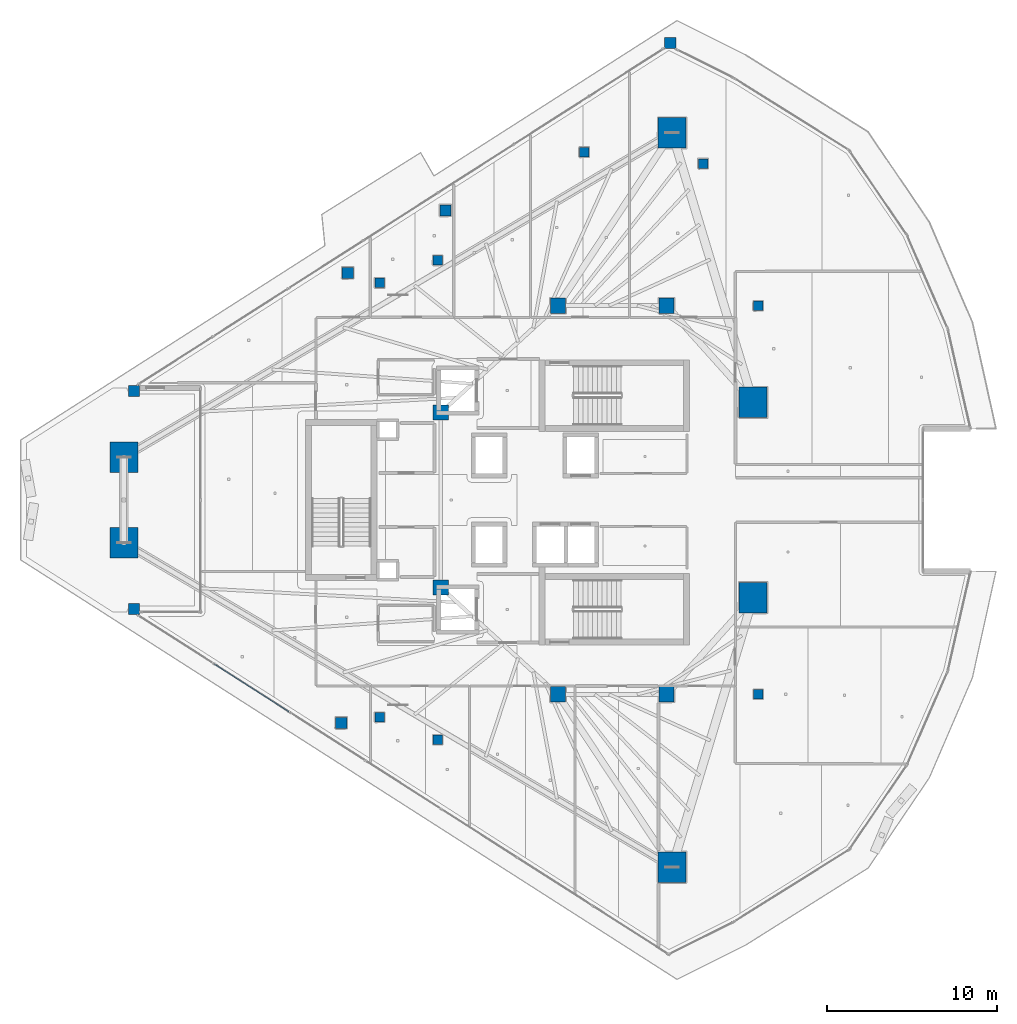
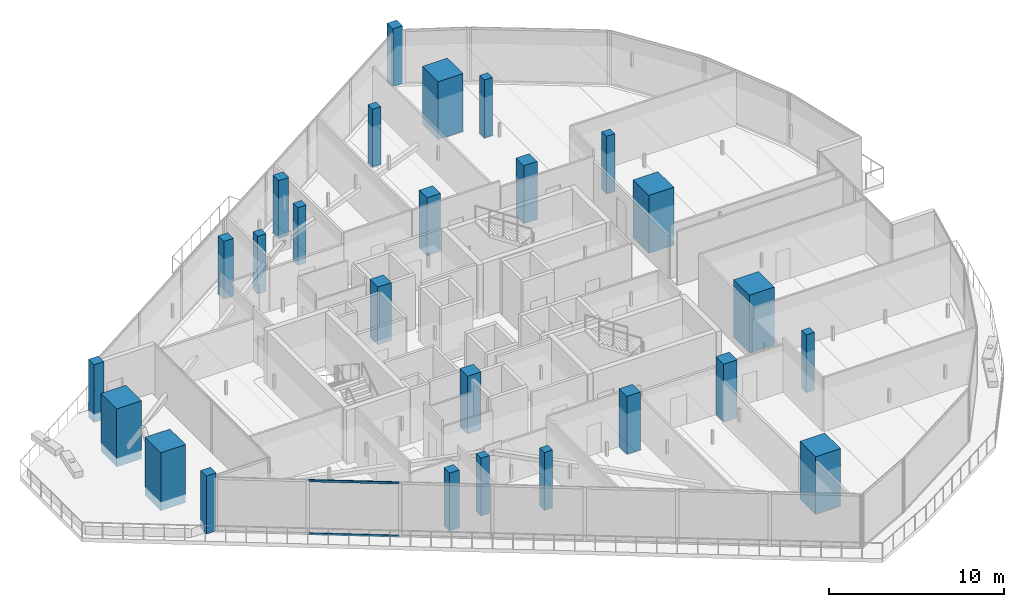
# One storey, part 1 of 40: 26 columns, 2 members, 1 element without a shape of its own.
"""IFC4 building model written with IfcOpenShell, lengths in metres."""

import ifcopenshell
import ifcopenshell.guid

model = None  # the IFC model being written
_history = None  # IfcOwnerHistory: only IFC2X3 demands one
_inside = {}  # id of a spatial element -> (the spatial element, [elements in it])
_under = {}  # id of a project, library or spatial element -> (it, [spatial elements below it])
_declared = {}  # id of a project -> (the project, [libraries it declares])
_typed = {}  # id of a type object -> (the type object, [elements of that type])
_made_of = {}  # id of a material, layer set ... -> (it, [elements and type objects made of it])


def new_model(schema):
    """Start an empty IFC model of exactly this schema.

    Asked for "IFC4X3", IfcOpenShell would pick the latest addendum, in which some entities
    have other attributes; the version numbers below select the first issue.
    IFC2X3 requires an IfcOwnerHistory on every rooted entity: one is made here for all.
    """
    global model, _history
    if schema == "IFC4X3":
        model = ifcopenshell.file(schema_version=(4, 3, 0, 0))
    else:
        model = ifcopenshell.file(schema=schema)
    _inside.clear()
    _under.clear()
    _declared.clear()
    _typed.clear()
    _made_of.clear()
    _history = None
    if model.schema == "IFC2X3":
        org = make("IfcOrganization", Name="unknown")
        user = make(
            "IfcPersonAndOrganization",
            ThePerson=make("IfcPerson", FamilyName="unknown"),
            TheOrganization=org,
        )
        app = make(
            "IfcApplication",
            ApplicationDeveloper=org,
            Version="unknown",
            ApplicationFullName="unknown",
            ApplicationIdentifier="unknown",
        )
        _history = make(
            "IfcOwnerHistory",
            OwningUser=user,
            OwningApplication=app,
            ChangeAction="ADDED",
            CreationDate=0,
        )
    return model


def make(cls, **values):
    """One entity of the class cls with the attributes given. An attribute that is None is left unset."""
    return model.create_entity(
        cls, **{name: value for name, value in values.items() if value is not None}
    )


def rooted(cls, **values):
    """An entity with a GlobalId (a new one), such as an element, a storey or a relation."""
    return make(cls, GlobalId=ifcopenshell.guid.new(), OwnerHistory=_history, **values)


def si_unit(unit_type, name, prefix=None):
    """IfcSIUnit, for example si_unit("LENGTHUNIT", "METRE", prefix="MILLI")."""
    return make("IfcSIUnit", UnitType=unit_type, Prefix=prefix, Name=name)


def assignment(units):
    """IfcUnitAssignment: the units of a project."""
    return None if units is None else make("IfcUnitAssignment", Units=units)


def point(xyz):
    """IfcCartesianPoint."""
    return None if xyz is None else make("IfcCartesianPoint", Coordinates=xyz)


def direction(xyz):
    """IfcDirection."""
    return None if xyz is None else make("IfcDirection", DirectionRatios=xyz)


def frame(location, z_axis=None, x_axis=None):
    """IfcAxis2Placement3D, a coordinate frame: its origin and axes. An axis left out is left unset."""
    return make(
        "IfcAxis2Placement3D",
        Location=point(location),
        Axis=direction(z_axis),
        RefDirection=direction(x_axis),
    )


def frame_2d(location, x_axis=None):
    """IfcAxis2Placement2D, a coordinate frame in the plane: its origin and x axis."""
    return make(
        "IfcAxis2Placement2D", Location=point(location), RefDirection=direction(x_axis)
    )


def origin():
    """The frame at (0, 0, 0) with its axes left unset."""
    return frame((0.0, 0.0, 0.0))


def origin_2d():
    """The frame at (0, 0) in the plane with its x axis left unset."""
    return frame_2d((0.0, 0.0))


def place(relative_to, where):
    """IfcLocalPlacement: puts the frame where relative to a parent placement (None: the world)."""
    return make(
        "IfcLocalPlacement", PlacementRelTo=relative_to, RelativePlacement=where
    )


def context(
    kind, dimensions, precision=None, world=None, true_north=None, identifier=None
):
    """IfcGeometricRepresentationContext, for example the 3D "Model" context."""
    return make(
        "IfcGeometricRepresentationContext",
        ContextIdentifier=identifier,
        ContextType=kind,
        CoordinateSpaceDimension=dimensions,
        Precision=precision,
        WorldCoordinateSystem=world,
        TrueNorth=true_north,
    )


def subcontext(parent, identifier, kind, view, scale=None):
    """IfcGeometricRepresentationSubContext, for example "Body" below "Model"."""
    return make(
        "IfcGeometricRepresentationSubContext",
        ContextIdentifier=identifier,
        ContextType=kind,
        ParentContext=parent,
        TargetScale=scale,
        TargetView=view,
    )


def project(units=None, contexts=None):
    """IfcProject with its units and contexts."""
    return rooted(
        "IfcProject",
        Name="project",
        RepresentationContexts=contexts,
        UnitsInContext=assignment(units),
    )


def spatial(cls, under=None, at=None, **own):
    """A site, building, storey or space (cls), placed at a placement, below another one or the project."""
    s = rooted(cls, ObjectPlacement=at, **own)
    if under is not None:
        _under.setdefault(under.id(), (under, []))[1].append(s)
    return s


def profile(cls, at=None, kind="AREA", **sizes):
    """A parametric profile (cls). Its sizes go by their IFC names, for example OverallWidth=200.0."""
    return make(cls, ProfileType=kind, Position=at, **sizes)


def rectangle(**sizes):
    """IfcRectangleProfileDef."""
    return profile("IfcRectangleProfileDef", **sizes)


def hollow_rectangle(**sizes):
    """IfcRectangleHollowProfileDef."""
    return profile("IfcRectangleHollowProfileDef", **sizes)


def extrude(swept, where, along, depth):
    """IfcExtrudedAreaSolid: the profile swept, set in the frame where, extruded along a direction by depth."""
    return make(
        "IfcExtrudedAreaSolid",
        SweptArea=swept,
        Position=where,
        ExtrudedDirection=direction(along),
        Depth=depth,
    )


def shape(context_of_items, identifier, shape_type, items):
    """IfcShapeRepresentation: the items that make up one representation, for example the "Body"."""
    return make(
        "IfcShapeRepresentation",
        ContextOfItems=context_of_items,
        RepresentationIdentifier=identifier,
        RepresentationType=shape_type,
        Items=items,
    )


def material(Name=None, Category=None):
    """IfcMaterial."""
    return make("IfcMaterial", Name=Name, Category=Category)


def layer(
    of_material, thickness, ventilated=None, Name=None, Category=None, Priority=None
):
    """IfcMaterialLayer: one layer of a wall or slab, of a material (None: an air gap)."""
    return make(
        "IfcMaterialLayer",
        Material=of_material,
        LayerThickness=thickness,
        IsVentilated=ventilated,
        Name=Name,
        Category=Category,
        Priority=Priority,
    )


def layer_set(layers, Name=None):
    """IfcMaterialLayerSet."""
    return make("IfcMaterialLayerSet", MaterialLayers=layers, LayerSetName=Name)


def material_profile(
    of_material, cross_section, Name=None, Category=None, Priority=None
):
    """IfcMaterialProfile: a cross section and its material."""
    return make(
        "IfcMaterialProfile",
        Name=Name,
        Material=of_material,
        Profile=cross_section,
        Priority=Priority,
        Category=Category,
    )


def profile_set(profiles, Name=None, composite=None):
    """IfcMaterialProfileSet."""
    return make(
        "IfcMaterialProfileSet",
        Name=Name,
        MaterialProfiles=profiles,
        CompositeProfile=composite,
    )


def made_of(thing, what):
    """Note that an element or type object is made of a material, layer set ...; save() writes the relation."""
    if what is not None:
        _made_of.setdefault(what.id(), (what, []))[1].append(thing)
    return thing


def type_object(cls, material=None, **own):
    """A type object (cls), such as IfcWallType, which elements share."""
    return made_of(rooted(cls, **own), material)


def element(
    cls,
    number,
    at=None,
    inside=None,
    cuts=None,
    type_object=None,
    material=None,
    context=None,
    identifier="Body",
    shape_type=None,
    held_by="IfcProductDefinitionShape",
    body=None,
    shapes=None,
    **own,
):
    """One element of the class cls, such as IfcWall. Its Tag is "e" and its number.

    at: its placement. inside: the storey or other place that contains it. cuts: it is an
    opening in that element (IfcRelVoidsElement). A single representation is given by context,
    identifier, shape_type and body (its items); several are given by shapes. held_by: the class
    of the entity that holds the representations. save() writes the other relations.
    """
    e = rooted(cls, Tag="e%d" % number, ObjectPlacement=at, **own)
    if body is not None:
        shapes = [shape(context, identifier, shape_type, body)]
    if shapes is not None:
        e.Representation = make(held_by, Representations=shapes)
    if inside is not None:
        _inside.setdefault(inside.id(), (inside, []))[1].append(e)
    if cuts is not None:
        rooted(
            "IfcRelVoidsElement", RelatingBuildingElement=cuts, RelatedOpeningElement=e
        )
    if type_object is not None:
        _typed.setdefault(type_object.id(), (type_object, []))[1].append(e)
    return made_of(e, material)


def aggregate(whole, parts):
    """IfcRelAggregates: a whole, such as a stair, and the parts it consists of."""
    return rooted("IfcRelAggregates", RelatingObject=whole, RelatedObjects=parts)


def save(model, path):
    """Write the relations noted so far, then the file.

    IfcRelAggregates (storeys below a building ...), IfcRelContainedInSpatialStructure (elements
    in a storey), IfcRelDefinesByType, IfcRelAssociatesMaterial and IfcRelDeclares: one each for
    every whole, place, type object, material and project.
    """
    for whole, parts in _under.values():
        aggregate(whole, parts)
    for where, things in _inside.values():
        rooted(
            "IfcRelContainedInSpatialStructure",
            RelatedElements=things,
            RelatingStructure=where,
        )
    for kind, things in _typed.values():
        rooted("IfcRelDefinesByType", RelatedObjects=things, RelatingType=kind)
    for what, things in _made_of.values():
        rooted("IfcRelAssociatesMaterial", RelatedObjects=things, RelatingMaterial=what)
    for by, libraries in _declared.values():
        rooted("IfcRelDeclares", RelatingContext=by, RelatedDefinitions=libraries)
    model.write(path)


model = new_model("IFC4")

# Units and contexts
model_context = context("Model", 3, precision=1e-05, world=origin(), true_north=direction((0.0, 1.0)))
body_context = subcontext(model_context, "Body", "Model", "MODEL_VIEW")
ifc_project = project(units=[si_unit("LENGTHUNIT", "METRE"), si_unit("AREAUNIT", "SQUARE_METRE"), si_unit("VOLUMEUNIT", "CUBIC_METRE"), si_unit("PLANEANGLEUNIT", "RADIAN"), si_unit("MASSUNIT", "GRAM", prefix="KILO")], contexts=[model_context])

# Site, building, storey
site_placement = place(None, origin())
site = spatial("IfcSite", under=ifc_project, at=site_placement, CompositionType="ELEMENT")
building_placement = place(site_placement, origin())
building = spatial("IfcBuilding", under=site, at=building_placement, Name="Qorvath Tower", CompositionType="ELEMENT")
storey_placement = place(building_placement, frame((0.0, 0.0, 225.300048828125)))
storey = spatial("IfcBuildingStorey", under=building, at=storey_placement, Name="L52", CompositionType="ELEMENT", Elevation=225.300048828125)

# Columns
ifc_material_1 = material(Name="Concrete C60/75", Category="concrete")
ifc_material_profile_1 = material_profile(ifc_material_1, rectangle(XDim=1.64990234375, YDim=1.800048828125, at=origin_2d()), Name="MC 1800x1650")
ifc_profile_set_1 = profile_set([ifc_material_profile_1], Name="Concrete C60/75")
column_type_1 = type_object("IfcColumnType", Name="COL-MC4", PredefinedType="COLUMN", material=ifc_profile_set_1)
for number, where, z_axis, x_axis, name in (
    (1, (-49.171875, 2.52783203125, 0.0), (0.0, 0.0, 1.0), (1.0, 0.0, 0.0), "Composite Mega-Column MC1 L52"),
    (2, (-49.171875, -2.52783203125, 0.0), (0.0, 0.0, 1.0), (1.0, 0.0, 0.0), "Composite Mega-Column MC2 L52"),
    (3, (-16.87158203125, -21.627197265625, 0.0), (0.0, 0.0, 1.0), (1.0, 0.0, 0.0), "Composite Mega-Column MC3 L52"),
    (4, (-12.0966796875, -5.7578125, 0.0), (0.0, 0.0, 1.0), (1.0, 0.0, 0.0), "Composite Mega-Column MC4 L52"),
    (5, (-12.0966796875, 5.7578125, 0.0), (0.0, 0.0, 1.0), (1.0, 0.0, 0.0), "Composite Mega-Column MC5 L52"),
    (6, (-16.87158203125, 21.627197265625, 0.0), (0.0, 0.0, 1.0), (1.0, 0.0, 0.0), "Composite Mega-Column MC6 L52"),
):
    element("IfcColumn", number, at=place(storey_placement, frame(where, z_axis=z_axis, x_axis=x_axis)), inside=storey, type_object=column_type_1, Name=name, PredefinedType="COLUMN", context=body_context, shape_type="SweptSolid", body=[
        extrude(rectangle(XDim=1.64990234375, YDim=1.800048828125, at=origin_2d()), origin(), (0.0, 0.0, 1.0), 4.050048828125),
    ])
ifc_material_2 = material(Name="Concrete C50/60", Category="concrete")
ifc_material_profile_2 = material_profile(ifc_material_2, rectangle(XDim=0.89990234375, YDim=0.89990234375, at=origin_2d()), Name="RC 900x900")
ifc_profile_set_2 = profile_set([ifc_material_profile_2], Name="Concrete C50/60")
column_type_2 = type_object("IfcColumnType", Name="COL-RC3", PredefinedType="COLUMN", material=ifc_profile_set_2)
for number, where, z_axis, x_axis, name in (
    (7, (-23.60009765625, 11.449951171875, 0.0), (0.0, 0.0, 1.0), (1.0, 0.0, 0.0), "Core Spine Column CC1 L52"),
    (8, (-17.199951171875, 11.449951171875, 0.0), (0.0, 0.0, 1.0), (1.0, 0.0, 0.0), "Core Spine Column CC2 L52"),
    (9, (-17.199951171875, -11.449951171875, 0.0), (0.0, 0.0, 1.0), (1.0, 0.0, 0.0), "Core Spine Column CC3 L52"),
    (10, (-23.60009765625, -11.449951171875, 0.0), (0.0, 0.0, 1.0), (1.0, 0.0, 0.0), "Core Spine Column CC4 L52"),
    (11, (-30.5, 5.14990234375, 0.0), (0.0, 0.0, 1.0), (1.0, 0.0, 0.0), "Core Spine Column CC5 L52"),
    (12, (-30.5, -5.14990234375, 0.0), (0.0, 0.0, 1.0), (1.0, 0.0, 0.0), "Core Spine Column CC6 L52"),
):
    element("IfcColumn", number, at=place(storey_placement, frame(where, z_axis=z_axis, x_axis=x_axis)), inside=storey, type_object=column_type_2, Name=name, PredefinedType="COLUMN", context=body_context, shape_type="SweptSolid", body=[
        extrude(rectangle(XDim=0.89990234375, YDim=0.89990234375, at=origin_2d()), origin(), (0.0, 0.0, 1.0), 4.050048828125),
    ])
ifc_material_3 = material(Name="Concrete C45/55", Category="concrete")
ifc_material_profile_3 = material_profile(ifc_material_3, rectangle(XDim=0.64990234375, YDim=0.64990234375, at=origin_2d()), Name="RC 650x650")
ifc_profile_set_3 = profile_set([ifc_material_profile_3], Name="Concrete C45/55")
column_type_3 = type_object("IfcColumnType", Name="COL-RC6", PredefinedType="COLUMN", material=ifc_profile_set_3)
for number, where, z_axis, x_axis, name in (
    (13, (-48.578369140625, 6.424560546875, 0.0), (0.0, 0.0, 1.0), (1.0, 0.0, 0.0), "Loggia Frame Pier Column LGE1 L52"),
    (14, (-48.578369140625, -6.424560546875, 0.0), (0.0, 0.0, 1.0), (1.0, 0.0, 0.0), "Loggia Frame Pier Column LGE2 L52"),
    (15, (-16.981201171875, 26.92919921875, 0.0), (0.0, 0.0, 1.0), (1.0, 0.0, 0.0), "Loggia Frame Pier Column LGE3 L52"),
    (16, (-35.980712890625, 13.380859375, 0.0), (0.0, 0.0, 1.0), (1.0, 0.0, 0.0), "Loggia Frame Pier Column LGF1 L52"),
    (17, (-36.36474609375, -13.135498046875, 0.0), (0.0, 0.0, 1.0), (1.0, 0.0, 0.0), "Loggia Frame Pier Column LGF2 L52"),
    (18, (-30.224853515625, 17.0595703125, 0.0), (0.0, 0.0, 1.0), (1.0, 0.0, 0.0), "Loggia Frame Pier Column LGF3 L52"),
):
    element("IfcColumn", number, at=place(storey_placement, frame(where, z_axis=z_axis, x_axis=x_axis)), inside=storey, type_object=column_type_3, Name=name, PredefinedType="COLUMN", context=body_context, shape_type="SweptSolid", body=[
        extrude(rectangle(XDim=0.64990234375, YDim=0.64990234375, at=origin_2d()), origin(), (0.0, 0.0, 1.0), 4.050048828125),
    ])
ifc_material_4 = material(Name="Concrete C45/55", Category="concrete")
ifc_material_profile_4 = material_profile(ifc_material_4, rectangle(XDim=0.550048828125, YDim=0.550048828125, at=origin_2d()), Name="RC 550x550")
ifc_profile_set_4 = profile_set([ifc_material_profile_4], Name="Concrete C45/55")
column_type_4 = type_object("IfcColumnType", Name="COL-RC7", PredefinedType="COLUMN", material=ifc_profile_set_4)
for number, where, z_axis, x_axis, name in (
    (19, (-34.104248046875, 12.79248046875, 0.0), (0.0, 0.0, 1.0), (1.0, 0.0, 0.0), "Loggia Frame Pier Column LGG1 L52"),
    (20, (-34.104248046875, -12.79248046875, 0.0), (0.0, 0.0, 1.0), (1.0, 0.0, 0.0), "Loggia Frame Pier Column LGG2 L52"),
    (21, (-22.05322265625, 20.494873046875, 0.0), (0.0, 0.0, 1.0), (1.0, 0.0, 0.0), "Loggia Frame Pier Column LGG3 L52"),
    (22, (-30.67724609375, 14.124267578125, 0.0), (0.0, 0.0, 1.0), (1.0, 0.0, 0.0), "Loggia Frame Pier Column LGH1 L52"),
    (23, (-30.67724609375, -14.124267578125, 0.0), (0.0, 0.0, 1.0), (1.0, 0.0, 0.0), "Loggia Frame Pier Column LGH2 L52"),
    (24, (-15.046142578125, 19.818115234375, 0.0), (0.0, 0.0, 1.0), (1.0, 0.0, 0.0), "Loggia Frame Pier Column LGH3 L52"),
    (25, (-11.800048828125, -11.449951171875, 0.0), (0.0, 0.0, 1.0), (1.0, 0.0, 0.0), "Central Slot Jamb Column SC1 L52"),
    (26, (-11.800048828125, 11.449951171875, 0.0), (0.0, 0.0, 1.0), (1.0, 0.0, 0.0), "Central Slot Jamb Column SC2 L52"),
):
    element("IfcColumn", number, at=place(storey_placement, frame(where, z_axis=z_axis, x_axis=x_axis)), inside=storey, type_object=column_type_4, Name=name, PredefinedType="COLUMN", context=body_context, shape_type="SweptSolid", body=[
        extrude(rectangle(XDim=0.550048828125, YDim=0.550048828125, at=origin_2d()), origin(), (0.0, 0.0, 1.0), 4.050048828125),
    ])

# Curtain wall, members
ifc_material_5 = material(Name="Anodised aluminium and triple low-E glass", Category="aluminium")
ifc_layer = layer(ifc_material_5, 0.179931640625)
ifc_layer_set = layer_set([ifc_layer], Name="CW-SYS-5")
curtain_wall_type = type_object("IfcCurtainWallType", Name="CW-SYS-5", PredefinedType="NOTDEFINED", material=ifc_layer_set)
curtain_wall_placement = place(storey_placement, origin())
curtain_wall = element("IfcCurtainWall", 27, at=curtain_wall_placement, inside=storey, type_object=curtain_wall_type, Name="Curtain Wall CW-5 CW-T-L52-4.1", PredefinedType="NOTDEFINED")
ifc_material_6 = material(Name="Anodised aluminium 6063-T6", Category="aluminium")
ifc_material_profile_5 = material_profile(ifc_material_6, hollow_rectangle(XDim=0.06494140625, YDim=0.159912109375, WallThickness=0.00341796875, InnerFilletRadius=0.00341796875, OuterFilletRadius=0.007080078125, at=origin_2d()), Name="CWT 160x65")
ifc_profile_set_5 = profile_set([ifc_material_profile_5], Name="Anodised aluminium 6063-T6")
member_type = type_object("IfcMemberType", Name="CWT-160", PredefinedType="USERDEFINED", material=ifc_profile_set_5)
member_1_placement = place(storey_placement, frame((-43.83935546875, -9.669189453125, 0.032470703125), z_axis=(0.842605566515, -0.538531205482, 0.0), x_axis=(0.538531205482, 0.842605566515, 0.0)))
member_1 = element("IfcMember", 28, at=member_1_placement, type_object=member_type, Name="CW-5 transom 2.1", ObjectType="TRANSOM", PredefinedType="USERDEFINED", context=body_context, shape_type="SweptSolid", body=[
    extrude(hollow_rectangle(XDim=0.06494140625, YDim=0.159912109375, WallThickness=0.00341796875, InnerFilletRadius=0.00341796875, OuterFilletRadius=0.007080078125, at=origin_2d()), origin(), (0.0, 0.0, 1.0), 5.225341796875),
])
member_2_placement = place(storey_placement, frame((-43.83935546875, -9.669189453125, 3.74755859375), z_axis=(0.842605566515, -0.538531205482, 0.0), x_axis=(0.538531205482, 0.842605566515, 0.0)))
member_2 = element("IfcMember", 29, at=member_2_placement, type_object=member_type, Name="CW-5 transom 2.2", ObjectType="TRANSOM", PredefinedType="USERDEFINED", context=body_context, shape_type="SweptSolid", body=[
    extrude(hollow_rectangle(XDim=0.06494140625, YDim=0.159912109375, WallThickness=0.00341796875, InnerFilletRadius=0.00341796875, OuterFilletRadius=0.007080078125, at=origin_2d()), origin(), (0.0, 0.0, 1.0), 5.225341796875),
])
aggregate(curtain_wall, [member_1, member_2])

save(model, "model.ifc")
